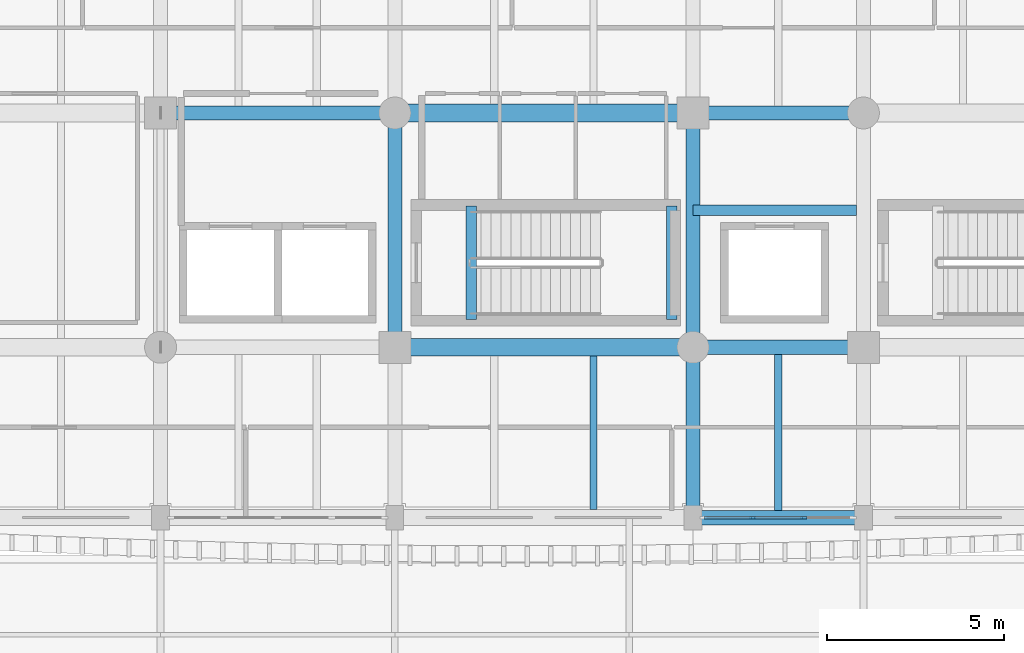
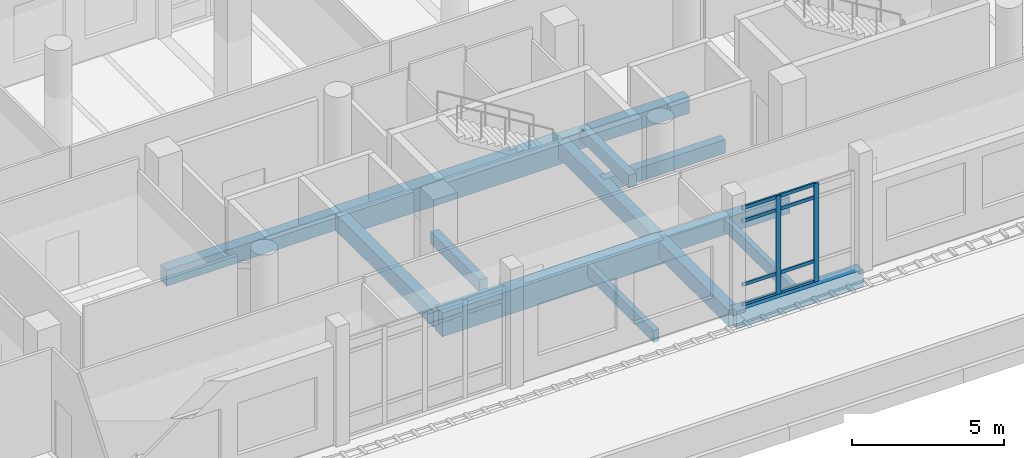
# One storey, part 31 of 125: 14 beams, 10 members, 1 element without a shape of its own.
"""IFC4 building model written with IfcOpenShell, lengths in metres."""

import ifcopenshell
import ifcopenshell.guid

model = None  # the IFC model being written
_history = None  # IfcOwnerHistory: only IFC2X3 demands one
_inside = {}  # id of a spatial element -> (the spatial element, [elements in it])
_under = {}  # id of a project, library or spatial element -> (it, [spatial elements below it])
_declared = {}  # id of a project -> (the project, [libraries it declares])
_typed = {}  # id of a type object -> (the type object, [elements of that type])
_made_of = {}  # id of a material, layer set ... -> (it, [elements and type objects made of it])


def new_model(schema):
    """Start an empty IFC model of exactly this schema.

    Asked for "IFC4X3", IfcOpenShell would pick the latest addendum, in which some entities
    have other attributes; the version numbers below select the first issue.
    IFC2X3 requires an IfcOwnerHistory on every rooted entity: one is made here for all.
    """
    global model, _history
    if schema == "IFC4X3":
        model = ifcopenshell.file(schema_version=(4, 3, 0, 0))
    else:
        model = ifcopenshell.file(schema=schema)
    _inside.clear()
    _under.clear()
    _declared.clear()
    _typed.clear()
    _made_of.clear()
    _history = None
    if model.schema == "IFC2X3":
        org = make("IfcOrganization", Name="unknown")
        user = make(
            "IfcPersonAndOrganization",
            ThePerson=make("IfcPerson", FamilyName="unknown"),
            TheOrganization=org,
        )
        app = make(
            "IfcApplication",
            ApplicationDeveloper=org,
            Version="unknown",
            ApplicationFullName="unknown",
            ApplicationIdentifier="unknown",
        )
        _history = make(
            "IfcOwnerHistory",
            OwningUser=user,
            OwningApplication=app,
            ChangeAction="ADDED",
            CreationDate=0,
        )
    return model


def make(cls, **values):
    """One entity of the class cls with the attributes given. An attribute that is None is left unset."""
    return model.create_entity(
        cls, **{name: value for name, value in values.items() if value is not None}
    )


def rooted(cls, **values):
    """An entity with a GlobalId (a new one), such as an element, a storey or a relation."""
    return make(cls, GlobalId=ifcopenshell.guid.new(), OwnerHistory=_history, **values)


def si_unit(unit_type, name, prefix=None):
    """IfcSIUnit, for example si_unit("LENGTHUNIT", "METRE", prefix="MILLI")."""
    return make("IfcSIUnit", UnitType=unit_type, Prefix=prefix, Name=name)


def assignment(units):
    """IfcUnitAssignment: the units of a project."""
    return None if units is None else make("IfcUnitAssignment", Units=units)


def point(xyz):
    """IfcCartesianPoint."""
    return None if xyz is None else make("IfcCartesianPoint", Coordinates=xyz)


def direction(xyz):
    """IfcDirection."""
    return None if xyz is None else make("IfcDirection", DirectionRatios=xyz)


def frame(location, z_axis=None, x_axis=None):
    """IfcAxis2Placement3D, a coordinate frame: its origin and axes. An axis left out is left unset."""
    return make(
        "IfcAxis2Placement3D",
        Location=point(location),
        Axis=direction(z_axis),
        RefDirection=direction(x_axis),
    )


def frame_2d(location, x_axis=None):
    """IfcAxis2Placement2D, a coordinate frame in the plane: its origin and x axis."""
    return make(
        "IfcAxis2Placement2D", Location=point(location), RefDirection=direction(x_axis)
    )


def origin():
    """The frame at (0, 0, 0) with its axes left unset."""
    return frame((0.0, 0.0, 0.0))


def origin_2d():
    """The frame at (0, 0) in the plane with its x axis left unset."""
    return frame_2d((0.0, 0.0))


def place(relative_to, where):
    """IfcLocalPlacement: puts the frame where relative to a parent placement (None: the world)."""
    return make(
        "IfcLocalPlacement", PlacementRelTo=relative_to, RelativePlacement=where
    )


def context(
    kind, dimensions, precision=None, world=None, true_north=None, identifier=None
):
    """IfcGeometricRepresentationContext, for example the 3D "Model" context."""
    return make(
        "IfcGeometricRepresentationContext",
        ContextIdentifier=identifier,
        ContextType=kind,
        CoordinateSpaceDimension=dimensions,
        Precision=precision,
        WorldCoordinateSystem=world,
        TrueNorth=true_north,
    )


def subcontext(parent, identifier, kind, view, scale=None):
    """IfcGeometricRepresentationSubContext, for example "Body" below "Model"."""
    return make(
        "IfcGeometricRepresentationSubContext",
        ContextIdentifier=identifier,
        ContextType=kind,
        ParentContext=parent,
        TargetScale=scale,
        TargetView=view,
    )


def project(units=None, contexts=None):
    """IfcProject with its units and contexts."""
    return rooted(
        "IfcProject",
        Name="project",
        RepresentationContexts=contexts,
        UnitsInContext=assignment(units),
    )


def spatial(cls, under=None, at=None, **own):
    """A site, building, storey or space (cls), placed at a placement, below another one or the project."""
    s = rooted(cls, ObjectPlacement=at, **own)
    if under is not None:
        _under.setdefault(under.id(), (under, []))[1].append(s)
    return s


def profile(cls, at=None, kind="AREA", **sizes):
    """A parametric profile (cls). Its sizes go by their IFC names, for example OverallWidth=200.0."""
    return make(cls, ProfileType=kind, Position=at, **sizes)


def rectangle(**sizes):
    """IfcRectangleProfileDef."""
    return profile("IfcRectangleProfileDef", **sizes)


def extrude(swept, where, along, depth):
    """IfcExtrudedAreaSolid: the profile swept, set in the frame where, extruded along a direction by depth."""
    return make(
        "IfcExtrudedAreaSolid",
        SweptArea=swept,
        Position=where,
        ExtrudedDirection=direction(along),
        Depth=depth,
    )


def shape(context_of_items, identifier, shape_type, items):
    """IfcShapeRepresentation: the items that make up one representation, for example the "Body"."""
    return make(
        "IfcShapeRepresentation",
        ContextOfItems=context_of_items,
        RepresentationIdentifier=identifier,
        RepresentationType=shape_type,
        Items=items,
    )


def material(Name=None, Category=None):
    """IfcMaterial."""
    return make("IfcMaterial", Name=Name, Category=Category)


def material_profile(
    of_material, cross_section, Name=None, Category=None, Priority=None
):
    """IfcMaterialProfile: a cross section and its material."""
    return make(
        "IfcMaterialProfile",
        Name=Name,
        Material=of_material,
        Profile=cross_section,
        Priority=Priority,
        Category=Category,
    )


def profile_set(profiles, Name=None, composite=None):
    """IfcMaterialProfileSet."""
    return make(
        "IfcMaterialProfileSet",
        Name=Name,
        MaterialProfiles=profiles,
        CompositeProfile=composite,
    )


def made_of(thing, what):
    """Note that an element or type object is made of a material, layer set ...; save() writes the relation."""
    if what is not None:
        _made_of.setdefault(what.id(), (what, []))[1].append(thing)
    return thing


def type_object(cls, material=None, **own):
    """A type object (cls), such as IfcWallType, which elements share."""
    return made_of(rooted(cls, **own), material)


def element(
    cls,
    number,
    at=None,
    inside=None,
    cuts=None,
    type_object=None,
    material=None,
    context=None,
    identifier="Body",
    shape_type=None,
    held_by="IfcProductDefinitionShape",
    body=None,
    shapes=None,
    **own,
):
    """One element of the class cls, such as IfcWall. Its Tag is "e" and its number.

    at: its placement. inside: the storey or other place that contains it. cuts: it is an
    opening in that element (IfcRelVoidsElement). A single representation is given by context,
    identifier, shape_type and body (its items); several are given by shapes. held_by: the class
    of the entity that holds the representations. save() writes the other relations.
    """
    e = rooted(cls, Tag="e%d" % number, ObjectPlacement=at, **own)
    if body is not None:
        shapes = [shape(context, identifier, shape_type, body)]
    if shapes is not None:
        e.Representation = make(held_by, Representations=shapes)
    if inside is not None:
        _inside.setdefault(inside.id(), (inside, []))[1].append(e)
    if cuts is not None:
        rooted(
            "IfcRelVoidsElement", RelatingBuildingElement=cuts, RelatedOpeningElement=e
        )
    if type_object is not None:
        _typed.setdefault(type_object.id(), (type_object, []))[1].append(e)
    return made_of(e, material)


def aggregate(whole, parts):
    """IfcRelAggregates: a whole, such as a stair, and the parts it consists of."""
    return rooted("IfcRelAggregates", RelatingObject=whole, RelatedObjects=parts)


def save(model, path):
    """Write the relations noted so far, then the file.

    IfcRelAggregates (storeys below a building ...), IfcRelContainedInSpatialStructure (elements
    in a storey), IfcRelDefinesByType, IfcRelAssociatesMaterial and IfcRelDeclares: one each for
    every whole, place, type object, material and project.
    """
    for whole, parts in _under.values():
        aggregate(whole, parts)
    for where, things in _inside.values():
        rooted(
            "IfcRelContainedInSpatialStructure",
            RelatedElements=things,
            RelatingStructure=where,
        )
    for kind, things in _typed.values():
        rooted("IfcRelDefinesByType", RelatedObjects=things, RelatingType=kind)
    for what, things in _made_of.values():
        rooted("IfcRelAssociatesMaterial", RelatedObjects=things, RelatingMaterial=what)
    for by, libraries in _declared.values():
        rooted("IfcRelDeclares", RelatingContext=by, RelatedDefinitions=libraries)
    model.write(path)


model = new_model("IFC4")

# Units and contexts
model_context = context("Model", 3, precision=1e-05, world=origin(), true_north=direction((0.0, 1.0)))
body_context = subcontext(model_context, "Body", "Model", "MODEL_VIEW")
ifc_project = project(units=[si_unit("LENGTHUNIT", "METRE"), si_unit("AREAUNIT", "SQUARE_METRE"), si_unit("VOLUMEUNIT", "CUBIC_METRE"), si_unit("PLANEANGLEUNIT", "RADIAN"), si_unit("MASSUNIT", "GRAM", prefix="KILO")], contexts=[model_context])

# Site, building, storey
site_placement = place(None, origin())
site = spatial("IfcSite", under=ifc_project, at=site_placement, CompositionType="ELEMENT")
building_placement = place(site_placement, origin())
building = spatial("IfcBuilding", under=site, at=building_placement, Name="Dornvale Research Institute", CompositionType="ELEMENT")
storey_placement = place(building_placement, frame((0.0, 0.0, 5.39990234375)))
storey = spatial("IfcBuildingStorey", under=building, at=storey_placement, Name="L01", CompositionType="ELEMENT", Elevation=5.39990234375)

# Beams
ifc_material_1 = material(Name="Concrete f'c 45 MPa (C35/45)", Category="concrete")
ifc_material_profile_1 = material_profile(ifc_material_1, rectangle(XDim=0.300048828125, YDim=0.5, at=origin_2d()), Name="RC 300x500")
ifc_profile_set_1 = profile_set([ifc_material_profile_1], Name="Concrete f'c 45 MPa (C35/45)")
beam_type_1 = type_object("IfcBeamType", Name="Beam_RC300x500_Trim", PredefinedType="BEAM", material=ifc_profile_set_1)
for number, where, z_axis, x_axis, name in (
    (1, (21.949951171875, 104.580078125, -0.25), (0.0, 1.0, 0.0), (-1.0, 0.0, 0.0), "L01 ST-1 stair landing trimmer beam #2"),
    (2, (27.60009765625, 104.580078125, 1.9501953125), (0.0, 1.0, 0.0), (-1.0, 0.0, 0.0), "L01 ST-1 half-landing support beam #15"),
):
    element("IfcBeam", number, at=place(storey_placement, frame(where, z_axis=z_axis, x_axis=x_axis)), inside=storey, type_object=beam_type_1, Name=name, PredefinedType="BEAM", context=body_context, shape_type="SweptSolid", body=[
        extrude(rectangle(XDim=0.300048828125, YDim=0.5, at=origin_2d()), origin(), (0.0, 0.0, 1.0), 3.199951171875),
    ])
ifc_material_2 = material(Name="Concrete f'c 45 MPa (C35/45)", Category="concrete")
ifc_material_profile_2 = material_profile(ifc_material_2, rectangle(XDim=0.39990234375, YDim=0.64990234375, at=origin_2d()), Name="RC 400x650")
ifc_profile_set_2 = profile_set([ifc_material_profile_2], Name="Concrete f'c 45 MPa (C35/45)")
beam_type_2 = type_object("IfcBeamType", Name="Beam_RC400x650_Floor", PredefinedType="BEAM", material=ifc_profile_set_2)
beam_1_placement = place(storey_placement, frame((28.199951171875, 103.800048828125, -0.324951171875), z_axis=(1.0, 0.0, 0.0), x_axis=(0.0, 1.0, 0.0)))
element("IfcBeam", 3, at=beam_1_placement, inside=storey, type_object=beam_type_2, Name="L01 primary girder #298", PredefinedType="BEAM", context=body_context, shape_type="SweptSolid", body=[
    extrude(rectangle(XDim=0.39990234375, YDim=0.64990234375, at=origin_2d()), origin(), (0.0, 0.0, 1.0), 4.800048828125),
])
beam_2_placement = place(storey_placement, frame((13.199951171875, 110.39990234375, -0.324951171875), z_axis=(1.0, 0.0, 0.0), x_axis=(0.0, 1.0, 0.0)))
element("IfcBeam", 4, at=beam_2_placement, inside=storey, type_object=beam_type_2, Name="L01 primary girder #303", PredefinedType="BEAM", context=body_context, shape_type="SweptSolid", body=[
    extrude(rectangle(XDim=0.39990234375, YDim=0.64990234375, at=origin_2d()), origin(), (0.0, 0.0, 1.0), 6.60009765625),
])
beam_3_placement = place(storey_placement, frame((28.199951171875, 110.39990234375, -0.324951171875), z_axis=(1.0, 0.0, 0.0), x_axis=(0.0, 1.0, 0.0)))
element("IfcBeam", 5, at=beam_3_placement, inside=storey, type_object=beam_type_2, Name="L01 primary girder #305", PredefinedType="BEAM", context=body_context, shape_type="SweptSolid", body=[
    extrude(rectangle(XDim=0.39990234375, YDim=0.64990234375, at=origin_2d()), origin(), (0.0, 0.0, 1.0), 4.800048828125),
])
beam_4_placement = place(storey_placement, frame((19.800048828125, 103.800048828125, -0.324951171875), z_axis=(0.0, 1.0, 0.0), x_axis=(-1.0, 0.0, 0.0)))
element("IfcBeam", 6, at=beam_4_placement, inside=storey, type_object=beam_type_2, Name="L01 transverse girder #335", PredefinedType="BEAM", context=body_context, shape_type="SweptSolid", body=[
    extrude(rectangle(XDim=0.39990234375, YDim=0.64990234375, at=origin_2d()), origin(), (0.0, 0.0, 1.0), 6.599853515625),
])
beam_5_placement = place(storey_placement, frame((28.199951171875, 99.0, -0.324951171875), z_axis=(0.0, 1.0, 0.0), x_axis=(-1.0, 0.0, 0.0)))
element("IfcBeam", 7, at=beam_5_placement, inside=storey, type_object=beam_type_2, Name="L01 transverse girder #338", PredefinedType="BEAM", context=body_context, shape_type="SweptSolid", body=[
    extrude(rectangle(XDim=0.39990234375, YDim=0.64990234375, at=origin_2d()), origin(), (0.0, 0.0, 1.0), 4.800048828125),
])
beam_6_placement = place(storey_placement, frame((28.199951171875, 103.800048828125, -0.324951171875), z_axis=(0.0, 1.0, 0.0), x_axis=(-1.0, 0.0, 0.0)))
element("IfcBeam", 8, at=beam_6_placement, inside=storey, type_object=beam_type_2, Name="L01 transverse girder #339", PredefinedType="BEAM", context=body_context, shape_type="SweptSolid", body=[
    extrude(rectangle(XDim=0.39990234375, YDim=0.64990234375, at=origin_2d()), origin(), (0.0, 0.0, 1.0), 6.599853515625),
])
ifc_material_3 = material(Name="Concrete f'c 45 MPa (C35/45)", Category="concrete")
ifc_material_profile_3 = material_profile(ifc_material_3, rectangle(XDim=0.5, YDim=0.949951171875, at=origin_2d()), Name="RC 500x950")
ifc_profile_set_3 = profile_set([ifc_material_profile_3], Name="Concrete f'c 45 MPa (C35/45)")
beam_type_3 = type_object("IfcBeamType", Name="Beam_RC500x950_Girder", PredefinedType="BEAM", material=ifc_profile_set_3)
for number, where, z_axis, x_axis, name in (
    (9, (19.800048828125, 103.800048828125, -0.474853515625), (1.0, 0.0, 0.0), (0.0, 1.0, 0.0), "L01 primary girder #297"),
    (10, (19.800048828125, 110.39990234375, -0.474853515625), (1.0, 0.0, 0.0), (0.0, 1.0, 0.0), "L01 primary girder #304"),
):
    element("IfcBeam", number, at=place(storey_placement, frame(where, z_axis=z_axis, x_axis=x_axis)), inside=storey, type_object=beam_type_3, Name=name, PredefinedType="BEAM", context=body_context, shape_type="SweptSolid", body=[
        extrude(rectangle(XDim=0.5, YDim=0.949951171875, at=origin_2d()), origin(), (0.0, 0.0, 1.0), 8.39990234375),
    ])
ifc_material_4 = material(Name="Concrete f'c 45 MPa (C35/45)", Category="concrete")
ifc_material_profile_4 = material_profile(ifc_material_4, rectangle(XDim=0.199951171875, YDim=0.485107421875, at=origin_2d()), Name="RC 200x485")
ifc_profile_set_4 = profile_set([ifc_material_profile_4], Name="Concrete f'c 45 MPa (C35/45)")
beam_type_4 = type_object("IfcBeamType", Name="Joist_RC200x485_Rib", PredefinedType="JOIST", material=ifc_profile_set_4)
beam_7_placement = place(storey_placement, frame((25.39990234375, 99.22509765625, -0.242431640625), z_axis=(0.0, 1.0, 0.0), x_axis=(-1.0, 0.0, 0.0)))
element("IfcBeam", 11, at=beam_7_placement, inside=storey, type_object=beam_type_4, Name="L01 laboratory waffle joist #158", PredefinedType="JOIST", context=body_context, shape_type="SweptSolid", body=[
    extrude(rectangle(XDim=0.199951171875, YDim=0.485107421875, at=origin_2d()), origin(), (0.0, 0.0, 1.0), 4.324951171875),
])
beam_8_placement = place(storey_placement, frame((30.60009765625, 99.199951171875, -0.242431640625), z_axis=(0.0, 1.0, 0.0), x_axis=(-1.0, 0.0, 0.0)))
element("IfcBeam", 12, at=beam_8_placement, inside=storey, type_object=beam_type_4, Name="L01 laboratory waffle joist #163", PredefinedType="JOIST", context=body_context, shape_type="SweptSolid", body=[
    extrude(rectangle(XDim=0.199951171875, YDim=0.485107421875, at=origin_2d()), origin(), (0.0, 0.0, 1.0), 4.400146484375),
])
ifc_material_5 = material(Name="Concrete f'c 45 MPa (C35/45)", Category="concrete")
ifc_material_profile_5 = material_profile(ifc_material_5, rectangle(XDim=0.300048828125, YDim=0.550048828125, at=origin_2d()), Name="RC 300x550")
ifc_profile_set_5 = profile_set([ifc_material_profile_5], Name="Concrete f'c 45 MPa (C35/45)")
beam_type_5 = type_object("IfcBeamType", Name="Lintel_RC300x550_Core", PredefinedType="LINTEL", material=ifc_profile_set_5)
beam_9_placement = place(storey_placement, frame((28.199951171875, 107.659912109375, -0.27490234375), z_axis=(1.0, 0.0, 0.0), x_axis=(0.0, 1.0, 0.0)))
element("IfcBeam", 13, at=beam_9_placement, inside=storey, type_object=beam_type_5, Name="L01 core coupling lintel #2027", PredefinedType="LINTEL", context=body_context, shape_type="SweptSolid", body=[
    extrude(rectangle(XDim=0.300048828125, YDim=0.550048828125, at=origin_2d()), origin(), (0.0, 0.0, 1.0), 4.60009765625),
])

# Curtain wall, members
ifc_material_6 = material(Name="Low-E Argon Double Insulating Glazing Unit", Category="glass")
curtain_wall_type = type_object("IfcCurtainWallType", Name="UnitisedCurtainWall_V5_4300x3950", PredefinedType="USERDEFINED", material=ifc_material_6)
curtain_wall_placement = place(storey_placement, origin())
curtain_wall = element("IfcCurtainWall", 14, at=curtain_wall_placement, inside=storey, type_object=curtain_wall_type, Name="L01 V5 unitised curtain wall CW-25 #137", ObjectType="UNITISED CURTAIN WALL", PredefinedType="USERDEFINED")
ifc_material_7 = material(Name="Anodized Aluminum AA 6063-T6 Thermally Broken Frame", Category="aluminium")
ifc_material_profile_6 = material_profile(ifc_material_7, rectangle(XDim=0.06494140625, YDim=0.179931640625, at=origin_2d()), Name="ALU MULLION 65x180")
ifc_profile_set_6 = profile_set([ifc_material_profile_6], Name="Anodized Aluminum AA 6063-T6 Thermally Broken Frame")
member_type_1 = type_object("IfcMemberType", Name="Mullion_CW_65x180", PredefinedType="MULLION", material=ifc_profile_set_6)
member_1_placement = place(storey_placement, frame((31.316650390625, 99.0, 0.0), z_axis=(0.0, 0.0, 1.0), x_axis=(0.0, -1.0, 0.0)))
member_1 = element("IfcMember", 15, at=member_1_placement, type_object=member_type_1, Name="CW-25 mullion 2", PredefinedType="MULLION", context=body_context, shape_type="SweptSolid", body=[
    extrude(rectangle(XDim=0.06494140625, YDim=0.179931640625, at=origin_2d()), origin(), (0.0, 0.0, 1.0), 3.9501953125),
])
member_2_placement = place(storey_placement, frame((29.88330078125, 99.0, 0.0), z_axis=(0.0, 0.0, 1.0), x_axis=(0.0, -1.0, 0.0)))
member_2 = element("IfcMember", 16, at=member_2_placement, type_object=member_type_1, Name="CW-25 mullion 3", PredefinedType="MULLION", context=body_context, shape_type="SweptSolid", body=[
    extrude(rectangle(XDim=0.06494140625, YDim=0.179931640625, at=origin_2d()), origin(), (0.0, 0.0, 1.0), 3.9501953125),
])

# Beam
ifc_material_8 = material(Name="Concrete f'c 45 MPa (C35/45)", Category="concrete")
ifc_material_profile_7 = material_profile(ifc_material_8, rectangle(XDim=0.39990234375, YDim=0.699951171875, at=origin_2d()), Name="RC 400x700")
ifc_profile_set_7 = profile_set([ifc_material_profile_7], Name="Concrete f'c 45 MPa (C35/45)")
beam_type_6 = type_object("IfcBeamType", Name="Spandrel_RC400x700_Ext", PredefinedType="SPANDREL", material=ifc_profile_set_7)
beam_10_placement = place(storey_placement, frame((28.199951171875, 99.0, -0.349853515625), z_axis=(1.0, 0.0, 0.0), x_axis=(0.0, 1.0, 0.0)))
element("IfcBeam", 17, at=beam_10_placement, inside=storey, type_object=beam_type_6, Name="L01 perimeter spandrel #291", PredefinedType="SPANDREL", context=body_context, shape_type="SweptSolid", body=[
    extrude(rectangle(XDim=0.39990234375, YDim=0.699951171875, at=origin_2d()), origin(), (0.0, 0.0, 1.0), 4.800048828125),
])

# Member
ifc_material_9 = material(Name="Anodized Aluminum AA 6063-T6 Thermally Broken Frame", Category="aluminium")
ifc_material_profile_8 = material_profile(ifc_material_9, rectangle(XDim=0.06494140625, YDim=0.135009765625, at=origin_2d()), Name="ALU TRANSOM 65x135")
ifc_profile_set_8 = profile_set([ifc_material_profile_8], Name="Anodized Aluminum AA 6063-T6 Thermally Broken Frame")
member_type_2 = type_object("IfcMemberType", Name="Transom_CW_65x135", PredefinedType="USERDEFINED", material=ifc_profile_set_8)
member_3_placement = place(storey_placement, frame((31.2841796875, 99.0, 0.03271484375), z_axis=(-1.0, 0.0, 0.0), x_axis=(0.0, -1.0, 0.0)))
member_3 = element("IfcMember", 18, at=member_3_placement, type_object=member_type_2, Name="CW-25 transom 2.1", ObjectType="TRANSOM", PredefinedType="USERDEFINED", context=body_context, shape_type="SweptSolid", body=[
    extrude(rectangle(XDim=0.06494140625, YDim=0.135009765625, at=origin_2d()), origin(), (0.0, 0.0, 1.0), 1.368408203125),
])

member_4_placement = place(storey_placement, frame((31.2841796875, 99.0, 0.85009765625), z_axis=(-1.0, 0.0, 0.0), x_axis=(0.0, -1.0, 0.0)))
member_4 = element("IfcMember", 19, at=member_4_placement, type_object=member_type_2, Name="CW-25 transom 2.2", ObjectType="TRANSOM", PredefinedType="USERDEFINED", context=body_context, shape_type="SweptSolid", body=[
    extrude(rectangle(XDim=0.06494140625, YDim=0.135009765625, at=origin_2d()), origin(), (0.0, 0.0, 1.0), 1.368408203125),
])

member_5_placement = place(storey_placement, frame((31.2841796875, 99.0, 3.400146484375), z_axis=(-1.0, 0.0, 0.0), x_axis=(0.0, -1.0, 0.0)))
member_5 = element("IfcMember", 20, at=member_5_placement, type_object=member_type_2, Name="CW-25 transom 2.3", ObjectType="TRANSOM", PredefinedType="USERDEFINED", context=body_context, shape_type="SweptSolid", body=[
    extrude(rectangle(XDim=0.06494140625, YDim=0.135009765625, at=origin_2d()), origin(), (0.0, 0.0, 1.0), 1.368408203125),
])

member_6_placement = place(storey_placement, frame((31.2841796875, 99.0, 3.91748046875), z_axis=(-1.0, 0.0, 0.0), x_axis=(0.0, -1.0, 0.0)))
member_6 = element("IfcMember", 21, at=member_6_placement, type_object=member_type_2, Name="CW-25 transom 2.4", ObjectType="TRANSOM", PredefinedType="USERDEFINED", context=body_context, shape_type="SweptSolid", body=[
    extrude(rectangle(XDim=0.06494140625, YDim=0.135009765625, at=origin_2d()), origin(), (0.0, 0.0, 1.0), 1.368408203125),
])

member_7_placement = place(storey_placement, frame((29.850830078125, 99.0, 0.03271484375), z_axis=(-1.0, 0.0, 0.0), x_axis=(0.0, -1.0, 0.0)))
member_7 = element("IfcMember", 22, at=member_7_placement, type_object=member_type_2, Name="CW-25 transom 3.1", ObjectType="TRANSOM", PredefinedType="USERDEFINED", context=body_context, shape_type="SweptSolid", body=[
    extrude(rectangle(XDim=0.06494140625, YDim=0.135009765625, at=origin_2d()), origin(), (0.0, 0.0, 1.0), 1.3359375),
])

member_8_placement = place(storey_placement, frame((29.850830078125, 99.0, 0.85009765625), z_axis=(-1.0, 0.0, 0.0), x_axis=(0.0, -1.0, 0.0)))
member_8 = element("IfcMember", 23, at=member_8_placement, type_object=member_type_2, Name="CW-25 transom 3.2", ObjectType="TRANSOM", PredefinedType="USERDEFINED", context=body_context, shape_type="SweptSolid", body=[
    extrude(rectangle(XDim=0.06494140625, YDim=0.135009765625, at=origin_2d()), origin(), (0.0, 0.0, 1.0), 1.3359375),
])

member_9_placement = place(storey_placement, frame((29.850830078125, 99.0, 3.400146484375), z_axis=(-1.0, 0.0, 0.0), x_axis=(0.0, -1.0, 0.0)))
member_9 = element("IfcMember", 24, at=member_9_placement, type_object=member_type_2, Name="CW-25 transom 3.3", ObjectType="TRANSOM", PredefinedType="USERDEFINED", context=body_context, shape_type="SweptSolid", body=[
    extrude(rectangle(XDim=0.06494140625, YDim=0.135009765625, at=origin_2d()), origin(), (0.0, 0.0, 1.0), 1.3359375),
])

member_10_placement = place(storey_placement, frame((29.850830078125, 99.0, 3.91748046875), z_axis=(-1.0, 0.0, 0.0), x_axis=(0.0, -1.0, 0.0)))
member_10 = element("IfcMember", 25, at=member_10_placement, type_object=member_type_2, Name="CW-25 transom 3.4", ObjectType="TRANSOM", PredefinedType="USERDEFINED", context=body_context, shape_type="SweptSolid", body=[
    extrude(rectangle(XDim=0.06494140625, YDim=0.135009765625, at=origin_2d()), origin(), (0.0, 0.0, 1.0), 1.3359375),
])

aggregate(curtain_wall, [member_1, member_2, member_3, member_4, member_5, member_6, member_7, member_8, member_9, member_10])

save(model, "model.ifc")
